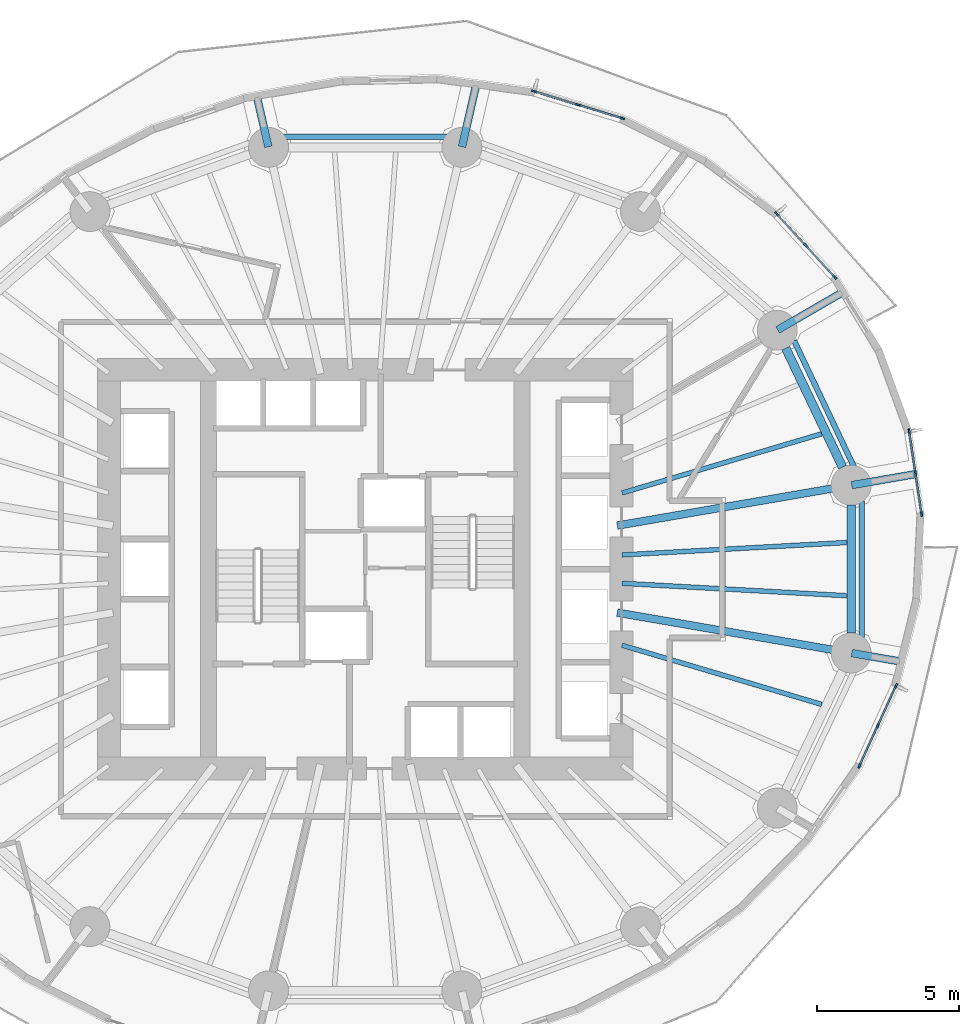
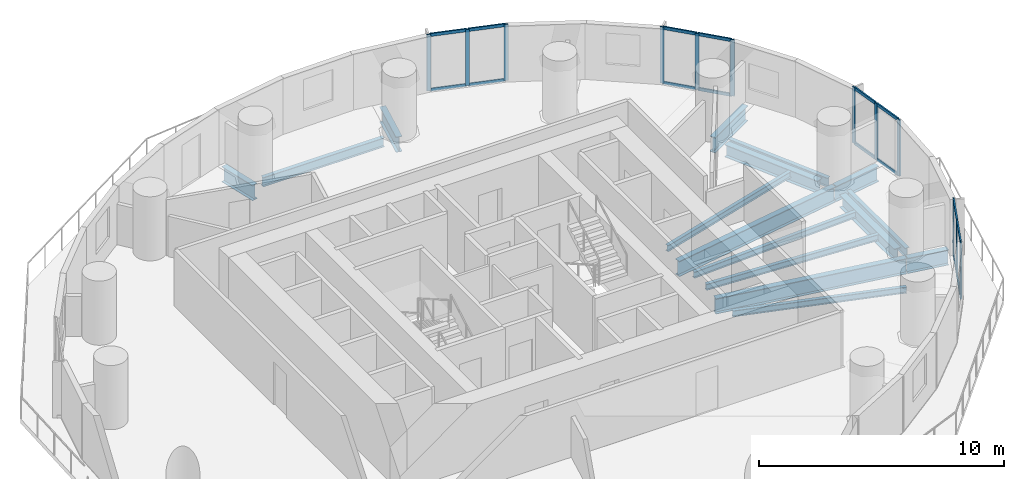
# One storey, part 5 of 13: 28 members, 16 beams, 4 elements without a shape of their own.
"""IFC4 building model written with IfcOpenShell, lengths in metres."""

from ifc_helpers import new_model, si_unit, direction, frame, origin, origin_2d, place, context, subcontext, project, spatial, rectangle, i_section, extrude, material, material_profile, profile_set, type_object, element, aggregate, save


model = new_model("IFC4")

# Units and contexts
model_context = context("Model", 3, precision=1e-05, world=origin(), true_north=direction((0.0, 1.0)))
body_context = subcontext(model_context, "Body", "Model", "MODEL_VIEW")
ifc_project = project(units=[si_unit("LENGTHUNIT", "METRE"), si_unit("AREAUNIT", "SQUARE_METRE"), si_unit("VOLUMEUNIT", "CUBIC_METRE"), si_unit("PLANEANGLEUNIT", "RADIAN"), si_unit("MASSUNIT", "GRAM", prefix="KILO")], contexts=[model_context])

# Site, building, storey
site_placement = place(None, origin())
site = spatial("IfcSite", under=ifc_project, at=site_placement, CompositionType="ELEMENT")
building_placement = place(site_placement, origin())
building = spatial("IfcBuilding", under=site, at=building_placement, Name="Veldorim Arch Residences", CompositionType="ELEMENT")
storey_placement = place(building_placement, frame((0.0, 0.0, 63.199951171875)))
storey = spatial("IfcBuildingStorey", under=building, at=storey_placement, Name="L18", CompositionType="ELEMENT", Elevation=63.199951171875)

# Beams
ifc_material_1 = material(Name="Steel S355", Category="steel")
ifc_material_profile_1 = material_profile(ifc_material_1, i_section(OverallWidth=0.30712890625, OverallDepth=0.6201171875, WebThickness=0.01416015625, FlangeThickness=0.023681640625, at=origin_2d()), Name="UB610x305x179")
ifc_profile_set_1 = profile_set([ifc_material_profile_1], Name="Steel S355")
beam_type_1 = type_object("IfcBeamType", Name="Structural Steel Beam UB610x305x179", PredefinedType="BEAM", material=ifc_profile_set_1)
beam_1_placement = place(storey_placement, frame((48.76416015625, 27.57763671875, -0.550048828125), z_axis=(-0.430776422552, 0.902458682585, 0.0), x_axis=(-0.902458682585, -0.430776422552, 0.0)))
element("IfcBeam", 1, at=beam_1_placement, inside=storey, type_object=beam_type_1, Name="L18 perimeter ring tie beam 01", PredefinedType="BEAM", context=body_context, shape_type="SweptSolid", body=[
    extrude(i_section(OverallWidth=0.30712890625, OverallDepth=0.6201171875, WebThickness=0.01416015625, FlangeThickness=0.023681640625, at=origin_2d()), origin(), (0.0, 0.0, 1.0), 4.63134765625),
])
beam_2_placement = place(storey_placement, frame((49.065673828125, 21.754150390625, -0.550048828125), z_axis=(0.0, 1.0, 0.0), x_axis=(-1.0, 0.0, 0.0)))
element("IfcBeam", 2, at=beam_2_placement, inside=storey, type_object=beam_type_1, Name="L18 perimeter ring tie beam 16", PredefinedType="BEAM", context=body_context, shape_type="SweptSolid", body=[
    extrude(i_section(OverallWidth=0.30712890625, OverallDepth=0.6201171875, WebThickness=0.01416015625, FlangeThickness=0.023681640625, at=origin_2d()), origin(), (0.0, 0.0, 1.0), 4.49169921875),
])
ifc_material_2 = material(Name="Steel S355", Category="steel")
ifc_material_profile_2 = material_profile(ifc_material_2, i_section(OverallWidth=0.26806640625, OverallDepth=0.769775390625, WebThickness=0.015625, FlangeThickness=0.025390625, at=origin_2d()), Name="UB762x267x197")
ifc_profile_set_2 = profile_set([ifc_material_profile_2], Name="Steel S355")
beam_type_2 = type_object("IfcBeamType", Name="Structural Steel GIRDER UB762x267x197", PredefinedType="USERDEFINED", material=ifc_profile_set_2)
beam_3_placement = place(storey_placement, frame((40.852294921875, 25.528076171875, -0.624755859375), z_axis=(0.985427548249, 0.170095699979, 0.0), x_axis=(-0.170095699979, 0.985427548249, 0.0)))
element("IfcBeam", 3, at=beam_3_placement, inside=storey, type_object=beam_type_2, Name="L18 radial floor girder 01", ObjectType="GIRDER", PredefinedType="USERDEFINED", context=body_context, shape_type="SweptSolid", body=[
    extrude(i_section(OverallWidth=0.26806640625, OverallDepth=0.769775390625, WebThickness=0.015625, FlangeThickness=0.025390625, at=origin_2d()), origin(), (0.0, 0.0, 1.0), 8.314697265625),
])
beam_4_placement = place(storey_placement, frame((49.08544921875, 26.94921875, -0.624755859375), z_axis=(0.985416557393, 0.170159361823, 0.0), x_axis=(-0.170159361823, 0.985416557393, 0.0)))
element("IfcBeam", 4, at=beam_4_placement, inside=storey, type_object=beam_type_2, Name="L18 radial edge cantilever girder 01", ObjectType="GIRDER", PredefinedType="USERDEFINED", context=body_context, shape_type="SweptSolid", body=[
    extrude(i_section(OverallWidth=0.26806640625, OverallDepth=0.769775390625, WebThickness=0.015625, FlangeThickness=0.025390625, at=origin_2d()), origin(), (0.0, 0.0, 1.0), 2.266845703125),
])
beam_5_placement = place(storey_placement, frame((46.48486328125, 32.399169921875, -0.624755859375), z_axis=(0.865096946632, 0.501604697873, 0.0), x_axis=(-0.501604697873, 0.865096946632, 0.0)))
element("IfcBeam", 5, at=beam_5_placement, inside=storey, type_object=beam_type_2, Name="L18 radial edge cantilever girder 02", ObjectType="GIRDER", PredefinedType="USERDEFINED", context=body_context, shape_type="SweptSolid", body=[
    extrude(i_section(OverallWidth=0.26806640625, OverallDepth=0.769775390625, WebThickness=0.015625, FlangeThickness=0.025390625, at=origin_2d()), origin(), (0.0, 0.0, 1.0), 2.674560546875),
])
beam_6_placement = place(storey_placement, frame((35.399169921875, 38.829345703125, -0.624755859375), z_axis=(0.223412195032, 0.974724058958, 0.0), x_axis=(-0.974724058958, 0.223412195032, 0.0)))
element("IfcBeam", 6, at=beam_6_placement, inside=storey, type_object=beam_type_2, Name="L18 radial edge cantilever girder 04", ObjectType="GIRDER", PredefinedType="USERDEFINED", context=body_context, shape_type="SweptSolid", body=[
    extrude(i_section(OverallWidth=0.26806640625, OverallDepth=0.769775390625, WebThickness=0.015625, FlangeThickness=0.025390625, at=origin_2d()), origin(), (0.0, 0.0, 1.0), 2.279541015625),
])
beam_7_placement = place(storey_placement, frame((28.600830078125, 38.829345703125, -0.624755859375), z_axis=(-0.223430723237, 0.974719812004, 0.0), x_axis=(-0.974719812004, -0.223430723237, 0.0)))
element("IfcBeam", 7, at=beam_7_placement, inside=storey, type_object=beam_type_2, Name="L18 radial edge cantilever girder 05", ObjectType="GIRDER", PredefinedType="USERDEFINED", context=body_context, shape_type="SweptSolid", body=[
    extrude(i_section(OverallWidth=0.26806640625, OverallDepth=0.769775390625, WebThickness=0.015625, FlangeThickness=0.025390625, at=origin_2d()), origin(), (0.0, 0.0, 1.0), 1.85986328125),
])
beam_8_placement = place(storey_placement, frame((40.852294921875, 22.471923828125, -0.624755859375), z_axis=(0.985427548249, -0.170095699979, 0.0), x_axis=(0.170095699979, 0.985427548249, 0.0)))
element("IfcBeam", 8, at=beam_8_placement, inside=storey, type_object=beam_type_2, Name="L18 radial floor girder 16", ObjectType="GIRDER", PredefinedType="USERDEFINED", context=body_context, shape_type="SweptSolid", body=[
    extrude(i_section(OverallWidth=0.26806640625, OverallDepth=0.769775390625, WebThickness=0.015625, FlangeThickness=0.025390625, at=origin_2d()), origin(), (0.0, 0.0, 1.0), 8.314697265625),
])
beam_9_placement = place(storey_placement, frame((49.08544921875, 21.05078125, -0.624755859375), z_axis=(0.985421461272, -0.170130960336, 0.0), x_axis=(0.170130960336, 0.985421461272, 0.0)))
element("IfcBeam", 9, at=beam_9_placement, inside=storey, type_object=beam_type_2, Name="L18 radial edge cantilever girder 16", ObjectType="GIRDER", PredefinedType="USERDEFINED", context=body_context, shape_type="SweptSolid", body=[
    extrude(i_section(OverallWidth=0.26806640625, OverallDepth=0.769775390625, WebThickness=0.015625, FlangeThickness=0.025390625, at=origin_2d()), origin(), (0.0, 0.0, 1.0), 1.7880859375),
])
ifc_material_3 = material(Name="Steel S355", Category="steel")
ifc_material_profile_3 = material_profile(ifc_material_3, i_section(OverallWidth=0.165771484375, OverallDepth=0.306640625, WebThickness=0.006591796875, FlangeThickness=0.01171875, at=origin_2d()), Name="UB305x165x46")
ifc_profile_set_3 = profile_set([ifc_material_profile_3], Name="Steel S355")
beam_type_3 = type_object("IfcBeamType", Name="Structural Steel Joist UB305x165x46", PredefinedType="JOIST", material=ifc_profile_set_3)
for number, where, z_axis, x_axis, name in (
    (10, (41.019287109375, 26.67333984375, -0.393310546875), (0.958766778771, 0.284194060325, 0.0), (-0.284194060325, 0.958766778771, 0.0), "L18 secondary radial floor joist 01-1"),
    (11, (41.019287109375, 21.32666015625, -0.393310546875), (0.958766778771, -0.284194060325, 0.0), (0.284194060325, 0.958766778771, 0.0), "L18 secondary radial floor joist 15-2"),
):
    element("IfcBeam", number, at=place(storey_placement, frame(where, z_axis=z_axis, x_axis=x_axis)), inside=storey, type_object=beam_type_3, Name=name, PredefinedType="JOIST", context=body_context, shape_type="SweptSolid", body=[
        extrude(i_section(OverallWidth=0.165771484375, OverallDepth=0.306640625, WebThickness=0.006591796875, FlangeThickness=0.01171875, at=origin_2d()), origin(), (0.0, 0.0, 1.0), 7.3115234375),
    ])
for number, where, z_axis, x_axis, name in (
    (12, (41.02001953125, 23.501708984375, -0.393310546875), (0.998478371109, -0.055144740699, 0.0), (0.055144740699, 0.998478371109, 0.0), "L18 secondary radial floor joist 16-1"),
    (13, (41.02001953125, 24.498291015625, -0.393310546875), (0.998478371109, 0.055144740699, 0.0), (-0.055144740699, 0.998478371109, 0.0), "L18 secondary radial floor joist 16-2"),
):
    element("IfcBeam", number, at=place(storey_placement, frame(where, z_axis=z_axis, x_axis=x_axis)), inside=storey, type_object=beam_type_3, Name=name, PredefinedType="JOIST", context=body_context, shape_type="SweptSolid", body=[
        extrude(i_section(OverallWidth=0.165771484375, OverallDepth=0.306640625, WebThickness=0.006591796875, FlangeThickness=0.01171875, at=origin_2d()), origin(), (0.0, 0.0, 1.0), 7.898193359375),
    ])
ifc_material_4 = material(Name="Steel S355", Category="steel")
ifc_material_profile_4 = material_profile(ifc_material_4, i_section(OverallWidth=0.19140625, OverallDepth=0.4599609375, WebThickness=0.010009765625, FlangeThickness=0.01611328125, at=origin_2d()), Name="UB457x191x82")
ifc_profile_set_4 = profile_set([ifc_material_profile_4], Name="Steel S355")
beam_type_4 = type_object("IfcBeamType", Name="Structural Steel Spandrel UB457x191x82", PredefinedType="SPANDREL", material=ifc_profile_set_4)
beam_10_placement = place(storey_placement, frame((49.176025390625, 27.56689453125, -0.489990234375), z_axis=(-0.428847831425, 0.903376741721, 0.0), x_axis=(-0.903376741721, -0.428847831425, 0.0)))
element("IfcBeam", 14, at=beam_10_placement, inside=storey, type_object=beam_type_4, Name="L18 perimeter chord spandrel beam 01", PredefinedType="SPANDREL", context=body_context, shape_type="SweptSolid", body=[
    extrude(i_section(OverallWidth=0.19140625, OverallDepth=0.4599609375, WebThickness=0.010009765625, FlangeThickness=0.01611328125, at=origin_2d()), origin(), (0.0, 0.0, 1.0), 4.932861328125),
])
beam_11_placement = place(storey_placement, frame((34.863525390625, 39.180419921875, -0.489990234375), z_axis=(-1.0, 0.0, 0.0), x_axis=(0.0, -1.0, 0.0)))
element("IfcBeam", 15, at=beam_11_placement, inside=storey, type_object=beam_type_4, Name="L18 perimeter chord spandrel beam 04", PredefinedType="SPANDREL", context=body_context, shape_type="SweptSolid", body=[
    extrude(i_section(OverallWidth=0.19140625, OverallDepth=0.4599609375, WebThickness=0.010009765625, FlangeThickness=0.01611328125, at=origin_2d()), origin(), (0.0, 0.0, 1.0), 5.72705078125),
])
beam_12_placement = place(storey_placement, frame((49.440185546875, 21.60546875, -0.489990234375), z_axis=(0.0, 1.0, 0.0), x_axis=(-1.0, 0.0, 0.0)))
element("IfcBeam", 16, at=beam_12_placement, inside=storey, type_object=beam_type_4, Name="L18 perimeter chord spandrel beam 16", PredefinedType="SPANDREL", context=body_context, shape_type="SweptSolid", body=[
    extrude(i_section(OverallWidth=0.19140625, OverallDepth=0.4599609375, WebThickness=0.010009765625, FlangeThickness=0.01611328125, at=origin_2d()), origin(), (0.0, 0.0, 1.0), 4.7890625),
])

# Curtain wall, members
ifc_material_5 = material(Name="Aluminium", Category="aluminium")
curtain_wall_type = type_object("IfcCurtainWallType", Name="Zone 1 Acoustic Low-E Unitised Curtain Wall", PredefinedType="NOTDEFINED", material=ifc_material_5)
curtain_wall_1_placement = place(storey_placement, origin())
curtain_wall_1 = element("IfcCurtainWall", 17, at=curtain_wall_1_placement, inside=storey, type_object=curtain_wall_type, Name="L18 unitised curtain wall bay 03", PredefinedType="NOTDEFINED")
ifc_material_6 = material(Name="Aluminium", Category="aluminium")
ifc_material_profile_5 = material_profile(ifc_material_6, rectangle(XDim=0.06494140625, YDim=0.175048828125, at=origin_2d()), Name="ALU_MUL_65x175")
ifc_profile_set_5 = profile_set([ifc_material_profile_5], Name="Aluminium")
member_type_1 = type_object("IfcMemberType", Name="Zone 1 Acoustic Low-E Unitised Curtain Wall Mullion 65x175", PredefinedType="MULLION", material=ifc_profile_set_5)
member_1_placement = place(storey_placement, frame((46.451904296875, 36.47900390625, 0.0), z_axis=(0.0, 0.0, 1.0), x_axis=(0.737193171901, 0.675682046012, 0.0)))
member_1 = element("IfcMember", 18, at=member_1_placement, type_object=member_type_1, Name="CW-Z1 mullion 1", PredefinedType="MULLION", context=body_context, shape_type="SweptSolid", body=[
    extrude(rectangle(XDim=0.06494140625, YDim=0.175048828125, at=origin_2d()), origin(), (0.0, 0.0, 1.0), 2.800048828125),
])
member_2_placement = place(storey_placement, frame((47.4716796875, 35.3662109375, 0.0), z_axis=(0.0, 0.0, 1.0), x_axis=(0.737193171901, 0.675682046012, 0.0)))
member_2 = element("IfcMember", 19, at=member_2_placement, type_object=member_type_1, Name="CW-Z1 mullion 2", PredefinedType="MULLION", context=body_context, shape_type="SweptSolid", body=[
    extrude(rectangle(XDim=0.06494140625, YDim=0.175048828125, at=origin_2d()), origin(), (0.0, 0.0, 1.0), 2.800048828125),
])
member_3_placement = place(storey_placement, frame((48.49169921875, 34.25341796875, 0.0), z_axis=(0.0, 0.0, 1.0), x_axis=(0.737193171901, 0.675682046012, 0.0)))
member_3 = element("IfcMember", 20, at=member_3_placement, type_object=member_type_1, Name="CW-Z1 mullion 3", PredefinedType="MULLION", context=body_context, shape_type="SweptSolid", body=[
    extrude(rectangle(XDim=0.06494140625, YDim=0.175048828125, at=origin_2d()), origin(), (0.0, 0.0, 1.0), 2.800048828125),
])

curtain_wall_2_placement = place(storey_placement, origin())
curtain_wall_2 = element("IfcCurtainWall", 21, at=curtain_wall_2_placement, inside=storey, type_object=curtain_wall_type, Name="L18 unitised curtain wall bay 06", PredefinedType="NOTDEFINED")
member_4_placement = place(storey_placement, frame((37.924560546875, 40.78173828125, 0.0), z_axis=(0.0, 0.0, 1.0), x_axis=(0.292851853901, 0.956157827802, 0.0)))
member_4 = element("IfcMember", 22, at=member_4_placement, type_object=member_type_1, Name="CW-Z1 mullion 1", PredefinedType="MULLION", context=body_context, shape_type="SweptSolid", body=[
    extrude(rectangle(XDim=0.06494140625, YDim=0.175048828125, at=origin_2d()), origin(), (0.0, 0.0, 1.0), 2.800048828125),
])
member_5_placement = place(storey_placement, frame((39.4755859375, 40.306640625, 0.0), z_axis=(0.0, 0.0, 1.0), x_axis=(0.292851853901, 0.956157827802, 0.0)))
member_5 = element("IfcMember", 23, at=member_5_placement, type_object=member_type_1, Name="CW-Z1 mullion 2", PredefinedType="MULLION", context=body_context, shape_type="SweptSolid", body=[
    extrude(rectangle(XDim=0.06494140625, YDim=0.175048828125, at=origin_2d()), origin(), (0.0, 0.0, 1.0), 2.800048828125),
])
member_6_placement = place(storey_placement, frame((41.026611328125, 39.83154296875, 0.0), z_axis=(0.0, 0.0, 1.0), x_axis=(0.292851853901, 0.956157827802, 0.0)))
member_6 = element("IfcMember", 24, at=member_6_placement, type_object=member_type_1, Name="CW-Z1 mullion 3", PredefinedType="MULLION", context=body_context, shape_type="SweptSolid", body=[
    extrude(rectangle(XDim=0.06494140625, YDim=0.175048828125, at=origin_2d()), origin(), (0.0, 0.0, 1.0), 2.800048828125),
])

curtain_wall_3_placement = place(storey_placement, origin())
curtain_wall_3 = element("IfcCurtainWall", 25, at=curtain_wall_3_placement, inside=storey, type_object=curtain_wall_type, Name="L18 unitised curtain wall bay 33", PredefinedType="NOTDEFINED")
member_7_placement = place(storey_placement, frame((50.6435546875, 19.9033203125, 0.0), z_axis=(0.0, 0.0, 1.0), x_axis=(0.909302816235, -0.416135060272, 0.0)))
member_7 = element("IfcMember", 26, at=member_7_placement, type_object=member_type_1, Name="CW-Z1 mullion 1", PredefinedType="MULLION", context=body_context, shape_type="SweptSolid", body=[
    extrude(rectangle(XDim=0.06494140625, YDim=0.175048828125, at=origin_2d()), origin(), (0.0, 0.0, 1.0), 2.800048828125),
])
member_8_placement = place(storey_placement, frame((50.000732421875, 18.49853515625, 0.0), z_axis=(0.0, 0.0, 1.0), x_axis=(0.909302816235, -0.416135060272, 0.0)))
member_8 = element("IfcMember", 27, at=member_8_placement, type_object=member_type_1, Name="CW-Z1 mullion 2", PredefinedType="MULLION", context=body_context, shape_type="SweptSolid", body=[
    extrude(rectangle(XDim=0.06494140625, YDim=0.175048828125, at=origin_2d()), origin(), (0.0, 0.0, 1.0), 2.800048828125),
])
member_9_placement = place(storey_placement, frame((49.35791015625, 17.093994140625, 0.0), z_axis=(0.0, 0.0, 1.0), x_axis=(0.909302816235, -0.416135060272, 0.0)))
member_9 = element("IfcMember", 28, at=member_9_placement, type_object=member_type_1, Name="CW-Z1 mullion 3", PredefinedType="MULLION", context=body_context, shape_type="SweptSolid", body=[
    extrude(rectangle(XDim=0.06494140625, YDim=0.175048828125, at=origin_2d()), origin(), (0.0, 0.0, 1.0), 2.800048828125),
])

curtain_wall_4_placement = place(storey_placement, origin())
curtain_wall_4 = element("IfcCurtainWall", 29, at=curtain_wall_4_placement, inside=storey, type_object=curtain_wall_type, Name="L18 unitised curtain wall bay 36", PredefinedType="NOTDEFINED")
member_10_placement = place(storey_placement, frame((51.10400390625, 28.83837890625, 0.0), z_axis=(0.0, 0.0, 1.0), x_axis=(0.988941483507, 0.148306244637, 0.0)))
member_10 = element("IfcMember", 30, at=member_10_placement, type_object=member_type_1, Name="CW-Z1 mullion 1", PredefinedType="MULLION", context=body_context, shape_type="SweptSolid", body=[
    extrude(rectangle(XDim=0.06494140625, YDim=0.175048828125, at=origin_2d()), origin(), (0.0, 0.0, 1.0), 2.800048828125),
])
member_11_placement = place(storey_placement, frame((51.32177734375, 27.38623046875, 0.0), z_axis=(0.0, 0.0, 1.0), x_axis=(0.988941483507, 0.148306244637, 0.0)))
member_11 = element("IfcMember", 31, at=member_11_placement, type_object=member_type_1, Name="CW-Z1 mullion 2", PredefinedType="MULLION", context=body_context, shape_type="SweptSolid", body=[
    extrude(rectangle(XDim=0.06494140625, YDim=0.175048828125, at=origin_2d()), origin(), (0.0, 0.0, 1.0), 2.800048828125),
])
member_12_placement = place(storey_placement, frame((51.53955078125, 25.93408203125, 0.0), z_axis=(0.0, 0.0, 1.0), x_axis=(0.988941483507, 0.148306244637, 0.0)))
member_12 = element("IfcMember", 32, at=member_12_placement, type_object=member_type_1, Name="CW-Z1 mullion 3", PredefinedType="MULLION", context=body_context, shape_type="SweptSolid", body=[
    extrude(rectangle(XDim=0.06494140625, YDim=0.175048828125, at=origin_2d()), origin(), (0.0, 0.0, 1.0), 2.800048828125),
])

# Member
ifc_material_7 = material(Name="Aluminium", Category="aluminium")
ifc_material_profile_6 = material_profile(ifc_material_7, rectangle(XDim=0.06494140625, YDim=0.14990234375, at=origin_2d()), Name="ALU_TRN_65x150")
ifc_profile_set_6 = profile_set([ifc_material_profile_6], Name="Aluminium")
member_type_2 = type_object("IfcMemberType", Name="Zone 1 Acoustic Low-E Unitised Curtain Wall Transom 65x150", PredefinedType="USERDEFINED", material=ifc_profile_set_6)
member_13_placement = place(storey_placement, frame((46.473876953125, 36.455078125, 0.032470703125), z_axis=(0.67567870909, -0.737196230378, 0.0), x_axis=(0.737196230378, 0.67567870909, 0.0)))
member_13 = element("IfcMember", 33, at=member_13_placement, type_object=member_type_2, Name="CW-Z1 transom 1.1", ObjectType="TRANSOM", PredefinedType="USERDEFINED", context=body_context, shape_type="SweptSolid", body=[
    extrude(rectangle(XDim=0.06494140625, YDim=0.14990234375, at=origin_2d()), origin(), (0.0, 0.0, 1.0), 1.444580078125),
])

member_14_placement = place(storey_placement, frame((46.473876953125, 36.455078125, 2.767578125), z_axis=(0.67567870909, -0.737196230378, 0.0), x_axis=(0.737196230378, 0.67567870909, 0.0)))
member_14 = element("IfcMember", 34, at=member_14_placement, type_object=member_type_2, Name="CW-Z1 transom 1.2", ObjectType="TRANSOM", PredefinedType="USERDEFINED", context=body_context, shape_type="SweptSolid", body=[
    extrude(rectangle(XDim=0.06494140625, YDim=0.14990234375, at=origin_2d()), origin(), (0.0, 0.0, 1.0), 1.444580078125),
])

member_15_placement = place(storey_placement, frame((47.49365234375, 35.34228515625, 0.032470703125), z_axis=(0.67567870909, -0.737196230378, 0.0), x_axis=(0.737196230378, 0.67567870909, 0.0)))
member_15 = element("IfcMember", 35, at=member_15_placement, type_object=member_type_2, Name="CW-Z1 transom 2.1", ObjectType="TRANSOM", PredefinedType="USERDEFINED", context=body_context, shape_type="SweptSolid", body=[
    extrude(rectangle(XDim=0.06494140625, YDim=0.14990234375, at=origin_2d()), origin(), (0.0, 0.0, 1.0), 1.444580078125),
])

member_16_placement = place(storey_placement, frame((47.49365234375, 35.34228515625, 2.767578125), z_axis=(0.67567870909, -0.737196230378, 0.0), x_axis=(0.737196230378, 0.67567870909, 0.0)))
member_16 = element("IfcMember", 36, at=member_16_placement, type_object=member_type_2, Name="CW-Z1 transom 2.2", ObjectType="TRANSOM", PredefinedType="USERDEFINED", context=body_context, shape_type="SweptSolid", body=[
    extrude(rectangle(XDim=0.06494140625, YDim=0.14990234375, at=origin_2d()), origin(), (0.0, 0.0, 1.0), 1.444580078125),
])

aggregate(curtain_wall_1, [member_1, member_2, member_3, member_13, member_14, member_15, member_16])

member_17_placement = place(storey_placement, frame((37.95556640625, 40.772216796875, 0.032470703125), z_axis=(0.956157856937, -0.292851758773, 0.0), x_axis=(0.292851758773, 0.956157856937, 0.0)))
member_17 = element("IfcMember", 37, at=member_17_placement, type_object=member_type_2, Name="CW-Z1 transom 1.1", ObjectType="TRANSOM", PredefinedType="USERDEFINED", context=body_context, shape_type="SweptSolid", body=[
    extrude(rectangle(XDim=0.06494140625, YDim=0.14990234375, at=origin_2d()), origin(), (0.0, 0.0, 1.0), 1.557373046875),
])

member_18_placement = place(storey_placement, frame((37.95556640625, 40.772216796875, 2.767578125), z_axis=(0.956157856937, -0.292851758773, 0.0), x_axis=(0.292851758773, 0.956157856937, 0.0)))
member_18 = element("IfcMember", 38, at=member_18_placement, type_object=member_type_2, Name="CW-Z1 transom 1.2", ObjectType="TRANSOM", PredefinedType="USERDEFINED", context=body_context, shape_type="SweptSolid", body=[
    extrude(rectangle(XDim=0.06494140625, YDim=0.14990234375, at=origin_2d()), origin(), (0.0, 0.0, 1.0), 1.557373046875),
])

member_19_placement = place(storey_placement, frame((39.506591796875, 40.297119140625, 0.032470703125), z_axis=(0.956144408733, -0.292895663416, 0.0), x_axis=(0.292895663416, 0.956144408733, 0.0)))
member_19 = element("IfcMember", 39, at=member_19_placement, type_object=member_type_2, Name="CW-Z1 transom 2.1", ObjectType="TRANSOM", PredefinedType="USERDEFINED", context=body_context, shape_type="SweptSolid", body=[
    extrude(rectangle(XDim=0.06494140625, YDim=0.14990234375, at=origin_2d()), origin(), (0.0, 0.0, 1.0), 1.55712890625),
])

member_20_placement = place(storey_placement, frame((39.506591796875, 40.297119140625, 2.767578125), z_axis=(0.956144408733, -0.292895663416, 0.0), x_axis=(0.292895663416, 0.956144408733, 0.0)))
member_20 = element("IfcMember", 40, at=member_20_placement, type_object=member_type_2, Name="CW-Z1 transom 2.2", ObjectType="TRANSOM", PredefinedType="USERDEFINED", context=body_context, shape_type="SweptSolid", body=[
    extrude(rectangle(XDim=0.06494140625, YDim=0.14990234375, at=origin_2d()), origin(), (0.0, 0.0, 1.0), 1.55712890625),
])

aggregate(curtain_wall_2, [member_4, member_5, member_6, member_17, member_18, member_19, member_20])

member_21_placement = place(storey_placement, frame((50.6298828125, 19.873779296875, 0.032470703125), z_axis=(-0.416063841269, -0.909335405661, 0.0), x_axis=(0.909335405661, -0.416063841269, 0.0)))
member_21 = element("IfcMember", 41, at=member_21_placement, type_object=member_type_2, Name="CW-Z1 transom 1.1", ObjectType="TRANSOM", PredefinedType="USERDEFINED", context=body_context, shape_type="SweptSolid", body=[
    extrude(rectangle(XDim=0.06494140625, YDim=0.14990234375, at=origin_2d()), origin(), (0.0, 0.0, 1.0), 1.47998046875),
])

member_22_placement = place(storey_placement, frame((50.6298828125, 19.873779296875, 2.767578125), z_axis=(-0.416063841269, -0.909335405661, 0.0), x_axis=(0.909335405661, -0.416063841269, 0.0)))
member_22 = element("IfcMember", 42, at=member_22_placement, type_object=member_type_2, Name="CW-Z1 transom 1.2", ObjectType="TRANSOM", PredefinedType="USERDEFINED", context=body_context, shape_type="SweptSolid", body=[
    extrude(rectangle(XDim=0.06494140625, YDim=0.14990234375, at=origin_2d()), origin(), (0.0, 0.0, 1.0), 1.47998046875),
])

member_23_placement = place(storey_placement, frame((49.987060546875, 18.468994140625, 0.032470703125), z_axis=(-0.41612626609, -0.909306840769, 0.0), x_axis=(0.909306840769, -0.41612626609, 0.0)))
member_23 = element("IfcMember", 43, at=member_23_placement, type_object=member_type_2, Name="CW-Z1 transom 2.1", ObjectType="TRANSOM", PredefinedType="USERDEFINED", context=body_context, shape_type="SweptSolid", body=[
    extrude(rectangle(XDim=0.06494140625, YDim=0.14990234375, at=origin_2d()), origin(), (0.0, 0.0, 1.0), 1.479736328125),
])

member_24_placement = place(storey_placement, frame((49.987060546875, 18.468994140625, 2.767578125), z_axis=(-0.41612626609, -0.909306840769, 0.0), x_axis=(0.909306840769, -0.41612626609, 0.0)))
member_24 = element("IfcMember", 44, at=member_24_placement, type_object=member_type_2, Name="CW-Z1 transom 2.2", ObjectType="TRANSOM", PredefinedType="USERDEFINED", context=body_context, shape_type="SweptSolid", body=[
    extrude(rectangle(XDim=0.06494140625, YDim=0.14990234375, at=origin_2d()), origin(), (0.0, 0.0, 1.0), 1.479736328125),
])

aggregate(curtain_wall_3, [member_7, member_8, member_9, member_21, member_22, member_23, member_24])

member_25_placement = place(storey_placement, frame((51.10888671875, 28.806396484375, 0.032470703125), z_axis=(0.148212853592, -0.988955484352, 0.0), x_axis=(0.988955484352, 0.148212853592, 0.0)))
member_25 = element("IfcMember", 45, at=member_25_placement, type_object=member_type_2, Name="CW-Z1 transom 1.1", ObjectType="TRANSOM", PredefinedType="USERDEFINED", context=body_context, shape_type="SweptSolid", body=[
    extrude(rectangle(XDim=0.06494140625, YDim=0.14990234375, at=origin_2d()), origin(), (0.0, 0.0, 1.0), 1.4033203125),
])

member_26_placement = place(storey_placement, frame((51.10888671875, 28.806396484375, 2.767578125), z_axis=(0.148212853592, -0.988955484352, 0.0), x_axis=(0.988955484352, 0.148212853592, 0.0)))
member_26 = element("IfcMember", 46, at=member_26_placement, type_object=member_type_2, Name="CW-Z1 transom 1.2", ObjectType="TRANSOM", PredefinedType="USERDEFINED", context=body_context, shape_type="SweptSolid", body=[
    extrude(rectangle(XDim=0.06494140625, YDim=0.14990234375, at=origin_2d()), origin(), (0.0, 0.0, 1.0), 1.4033203125),
])

member_27_placement = place(storey_placement, frame((51.32666015625, 27.35400390625, 0.032470703125), z_axis=(0.148212853592, -0.988955484352, 0.0), x_axis=(0.988955484352, 0.148212853592, 0.0)))
member_27 = element("IfcMember", 47, at=member_27_placement, type_object=member_type_2, Name="CW-Z1 transom 2.1", ObjectType="TRANSOM", PredefinedType="USERDEFINED", context=body_context, shape_type="SweptSolid", body=[
    extrude(rectangle(XDim=0.06494140625, YDim=0.14990234375, at=origin_2d()), origin(), (0.0, 0.0, 1.0), 1.4033203125),
])

member_28_placement = place(storey_placement, frame((51.32666015625, 27.35400390625, 2.767578125), z_axis=(0.148212853592, -0.988955484352, 0.0), x_axis=(0.988955484352, 0.148212853592, 0.0)))
member_28 = element("IfcMember", 48, at=member_28_placement, type_object=member_type_2, Name="CW-Z1 transom 2.2", ObjectType="TRANSOM", PredefinedType="USERDEFINED", context=body_context, shape_type="SweptSolid", body=[
    extrude(rectangle(XDim=0.06494140625, YDim=0.14990234375, at=origin_2d()), origin(), (0.0, 0.0, 1.0), 1.4033203125),
])

aggregate(curtain_wall_4, [member_10, member_11, member_12, member_25, member_26, member_27, member_28])

save(model, "model.ifc")
